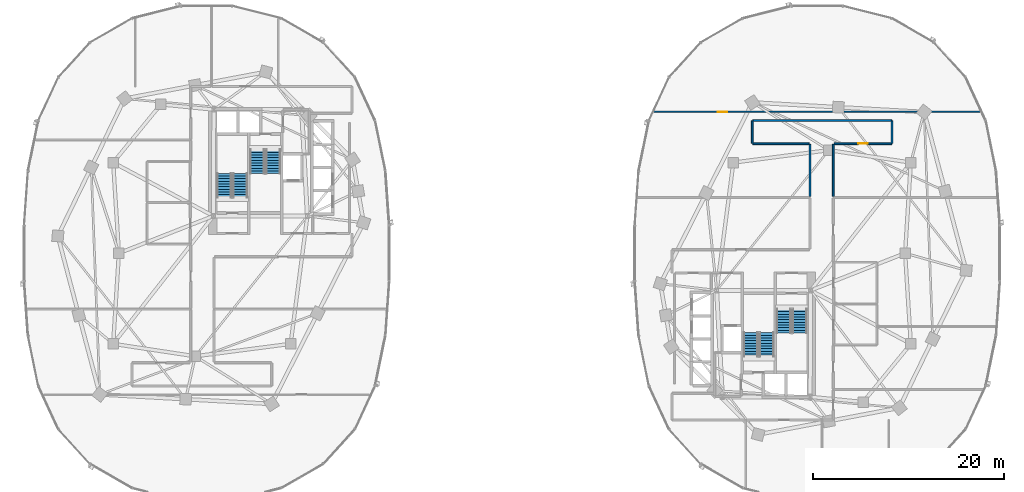
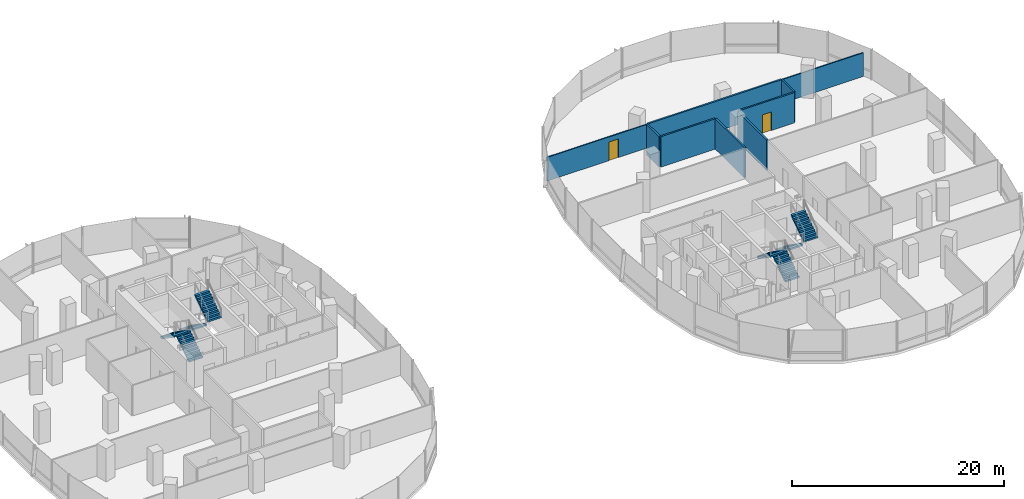
# One storey, part 14 of 21: 8 stair flights, 8 walls, 2 doors, 2 openings, 4 elements without a shape of their own.
"""IFC4 building model written with IfcOpenShell, lengths in metres."""

from ifc_helpers import new_model, si_unit, direction, frame, frame_2d, origin, place, context, subcontext, project, spatial, polyline, rectangle, outline, extrude, material, layer, layer_set, type_object, element, fill, aggregate, save


model = new_model("IFC4")

# Units and contexts
model_context = context("Model", 3, precision=1e-05, world=origin(), true_north=direction((0.0, 1.0)))
body_context = subcontext(model_context, "Body", "Model", "MODEL_VIEW")
ifc_project = project(units=[si_unit("LENGTHUNIT", "METRE"), si_unit("AREAUNIT", "SQUARE_METRE"), si_unit("VOLUMEUNIT", "CUBIC_METRE"), si_unit("PLANEANGLEUNIT", "RADIAN"), si_unit("MASSUNIT", "GRAM", prefix="KILO"), si_unit("THERMODYNAMICTEMPERATUREUNIT", "KELVIN"), si_unit("POWERUNIT", "WATT")], contexts=[model_context])

# Site, building, storey
site_placement = place(None, origin())
site = spatial("IfcSite", under=ifc_project, at=site_placement, CompositionType="ELEMENT")
building_placement = place(site_placement, origin())
building = spatial("IfcBuilding", under=site, at=building_placement, Name="Cundina Bronze Exchange", CompositionType="ELEMENT")
storey_placement = place(building_placement, frame((0.0, 0.0, 62.0)))
storey = spatial("IfcBuildingStorey", under=building, at=storey_placement, Name="L15", CompositionType="ELEMENT", Elevation=62.0)

# Wall
ifc_material_1 = material(Name="Gypsum Fireboard Partition EI120")
ifc_layer_1 = layer(ifc_material_1, 0.179931640625, Name="Gypsum Fireboard Partition EI120")
ifc_layer_set_1 = layer_set([ifc_layer_1], Name="Gypsum Fireboard Partition EI120")
wall_type_1 = type_object("IfcWallType", Name="WL-COR-180", PredefinedType="PARTITIONING", material=ifc_layer_set_1)
wall_1_placement = place(storey_placement, frame((39.778564453125, 13.919921875, 0.0), z_axis=(0.0, 0.0, 1.0), x_axis=(-1.0, 0.0, 0.0)))
element("IfcWall", 1, at=wall_1_placement, inside=storey, type_object=wall_type_1, Name="L15 Interior Partition 071", PredefinedType="PARTITIONING", context=body_context, shape_type="SweptSolid", body=[
    extrude(rectangle(XDim=14.55712890625, YDim=0.179931640625, at=frame_2d((7.278564453125, 0.0))), origin(), (0.0, 0.0, 1.0), 3.5),
])

# Wall, opening, door
wall_2_placement = place(storey_placement, frame((33.75, 11.47998046875, 0.0), z_axis=(0.0, 0.0, 1.0), x_axis=(1.0, 0.0, 0.0)))
wall_2 = element("IfcWall", 2, at=wall_2_placement, inside=storey, type_object=wall_type_1, Name="L15 Interior Partition 072", PredefinedType="PARTITIONING", context=body_context, shape_type="SweptSolid", body=[
    extrude(rectangle(XDim=6.028564453125, YDim=0.179931640625, at=frame_2d((3.01416015625, 0.0))), origin(), (0.0, 0.0, 1.0), 3.5),
])
opening_1_placement = place(wall_2_placement, frame((2.514404296875, 0.0, 0.0)))
opening_1 = element("IfcOpeningElement", 3, at=opening_1_placement, cuts=wall_2, Name="Opening DO-01", PredefinedType="OPENING", context=body_context, shape_type="SweptSolid", body=[
    extrude(rectangle(XDim=1.0, YDim=2.14990234375, at=frame_2d((0.5, 1.074951171875))), frame((0.0, 0.099853515625, 0.0), z_axis=(0.0, -1.0, 0.0), x_axis=(1.0, 0.0, 0.0)), (0.0, 0.0, 1.0), 0.199951171875),
])
ifc_material_2 = material(Name="Solid Andean Oak Timber Grade A", Category="wood")
door_type = type_object("IfcDoorType", Name="DR-OFF-1000", OperationType="NOTDEFINED", PredefinedType="DOOR", material=ifc_material_2)
door_1_placement = place(opening_1_placement, origin())
door_1 = element("IfcDoor", 4, at=door_1_placement, inside=storey, type_object=door_type, Name="L15 Interior Door 072", OperationType="SINGLE_SWING_LEFT", OverallHeight=2.14990234375, OverallWidth=1.0, PredefinedType="DOOR", context=body_context, shape_type="SweptSolid", body=[
    extrude(rectangle(XDim=1.0, YDim=2.14990234375, at=frame_2d((0.5, 1.074951171875))), frame((0.0, 0.02490234375, 0.0), z_axis=(0.0, -1.0, 0.0), x_axis=(1.0, 0.0, 0.0)), (0.0, 0.0, 1.0), 0.050048828125),
])
fill(opening_1, door_1)

# Walls
wall_3_placement = place(storey_placement, frame((25.221435546875, 11.47998046875, 0.0), z_axis=(0.0, 0.0, 1.0), x_axis=(1.0, 0.0, 0.0)))
element("IfcWall", 5, at=wall_3_placement, inside=storey, type_object=wall_type_1, Name="L15 Interior Partition 073", PredefinedType="PARTITIONING", context=body_context, shape_type="SweptSolid", body=[
    extrude(rectangle(XDim=5.928466796875, YDim=0.179931640625, at=frame_2d((2.96435546875, 0.0))), origin(), (0.0, 0.0, 1.0), 3.5),
])
for number, where, z_axis, x_axis, name in (
    (6, (33.669921875, 5.949951171875, 0.0), (0.0, 0.0, 1.0), (0.0, 1.0, 0.0), "L15 Interior Partition 074"),
    (7, (31.22998046875, 11.39990234375, 0.0), (0.0, 0.0, 1.0), (0.0, -1.0, 0.0), "L15 Interior Partition 075"),
):
    element("IfcWall", number, at=place(storey_placement, frame(where, z_axis=z_axis, x_axis=x_axis)), inside=storey, type_object=wall_type_1, Name=name, PredefinedType="PARTITIONING", context=body_context, shape_type="SweptSolid", body=[
        extrude(rectangle(XDim=5.449951171875, YDim=0.179931640625, at=frame_2d((2.72509765625, 0.0))), origin(), (0.0, 0.0, 1.0), 3.5),
    ])
for number, where, z_axis, x_axis, name in (
    (8, (39.820068359375, 11.521484375, 0.0), (0.0, 0.0, 1.0), (0.0, 1.0, 0.0), "L15 Interior Partition 076"),
    (9, (25.179931640625, 13.87841796875, 0.0), (0.0, 0.0, 1.0), (0.0, -1.0, 0.0), "L15 Interior Partition 077"),
):
    element("IfcWall", number, at=place(storey_placement, frame(where, z_axis=z_axis, x_axis=x_axis)), inside=storey, type_object=wall_type_1, Name=name, PredefinedType="PARTITIONING", context=body_context, shape_type="SweptSolid", body=[
        extrude(rectangle(XDim=2.35693359375, YDim=0.179931640625, at=frame_2d((1.178466796875, 0.0))), origin(), (0.0, 0.0, 1.0), 3.5),
    ])

# Wall, opening, door
ifc_material_3 = material(Name="Gypsum Acoustic Partition EI60")
ifc_layer_2 = layer(ifc_material_3, 0.125, Name="Gypsum Acoustic Partition EI60")
ifc_layer_set_2 = layer_set([ifc_layer_2], Name="Gypsum Acoustic Partition EI60")
wall_type_2 = type_object("IfcWallType", Name="WL-OFF-125", PredefinedType="PARTITIONING", material=ifc_layer_set_2)
wall_4_placement = place(storey_placement, frame((49.1953125, 14.820068359375, 0.0), z_axis=(0.0, 0.0, 1.0), x_axis=(-1.0, 0.0, 0.0)))
wall_4 = element("IfcWall", 10, at=wall_4_placement, inside=storey, type_object=wall_type_2, Name="L15 Interior Partition 078", PredefinedType="PARTITIONING", context=body_context, shape_type="SweptSolid", body=[
    extrude(rectangle(XDim=34.390625, YDim=0.125, at=frame_2d((17.1953125, 0.0))), origin(), (0.0, 0.0, 1.0), 2.72705078125),
])
opening_2_placement = place(wall_4_placement, frame((26.640625, 0.0, 0.0)))
opening_2 = element("IfcOpeningElement", 11, at=opening_2_placement, cuts=wall_4, Name="Opening DO-01", PredefinedType="OPENING", context=body_context, shape_type="SweptSolid", body=[
    extrude(rectangle(XDim=1.0, YDim=2.14990234375, at=frame_2d((0.5, 1.074951171875))), frame((0.0, 0.072509765625, 0.0), z_axis=(0.0, -1.0, 0.0), x_axis=(1.0, 0.0, 0.0)), (0.0, 0.0, 1.0), 0.14501953125),
])
door_2_placement = place(opening_2_placement, origin())
door_2 = element("IfcDoor", 12, at=door_2_placement, inside=storey, type_object=door_type, Name="L15 Interior Door 078", OperationType="SINGLE_SWING_RIGHT", OverallHeight=2.14990234375, OverallWidth=1.0, PredefinedType="DOOR", context=body_context, shape_type="SweptSolid", body=[
    extrude(rectangle(XDim=1.0, YDim=2.14990234375, at=frame_2d((0.5, 1.074951171875))), frame((0.0, 0.02490234375, 0.0), z_axis=(0.0, -1.0, 0.0), x_axis=(1.0, 0.0, 0.0)), (0.0, 0.0, 1.0), 0.050048828125),
])
fill(opening_2, door_2)

# Stair, stair flights
ifc_material_4 = material(Name="Concrete C40/50", Category="concrete")
stair_type = type_object("IfcStairType", Name="STR-TRD-380", PredefinedType="HALF_TURN_STAIR", material=ifc_material_4)
stair_1_placement = place(storey_placement, origin())
stair_1 = element("IfcStair", 13, at=stair_1_placement, inside=storey, type_object=stair_type, Name="L15 Smokeproof Exit Stair W1", PredefinedType="HALF_TURN_STAIR")
stair_flight_type = type_object("IfcStairFlightType", Name="FLG-TRD-190", PredefinedType="STRAIGHT", material=ifc_material_4)
stair_flight_1_placement = place(storey_placement, frame((-28.489990234375, 5.85009765625, 0.0), z_axis=(0.0, 0.0, 1.0), x_axis=(0.0, 1.0, 0.0)))
stair_flight_1 = element("IfcStairFlight", 14, at=stair_flight_1_placement, type_object=stair_flight_type, Name="ST-W1 flight 1", NumberOfRisers=10, NumberOfTreads=9, PredefinedType="STRAIGHT", RiserHeight=0.19, TreadLength=0.28, context=body_context, shape_type="SweptSolid", body=[
    extrude(outline(polyline([(0.0, 0.0), (0.0, 0.18994140625), (0.280029296875, 0.18994140625), (0.280029296875, 0.3798828125), (0.56005859375, 0.3798828125), (0.56005859375, 0.570068359375), (0.840087890625, 0.570068359375), (0.840087890625, 0.760009765625), (1.1201171875, 0.760009765625), (1.1201171875, 0.949951171875), (1.39990234375, 0.949951171875), (1.39990234375, 1.139892578125), (1.679931640625, 1.139892578125), (1.679931640625, 1.330078125), (1.9599609375, 1.330078125), (1.9599609375, 1.52001953125), (2.239990234375, 1.52001953125), (2.239990234375, 1.7099609375), (2.52001953125, 1.7099609375), (2.52001953125, 1.89990234375), (2.52001953125, 1.52880859375), (0.266845703125, 0.0), (0.0, 0.0)])), frame((0.0, 0.75, 0.0), z_axis=(0.0, -1.0, 0.0), x_axis=(1.0, 0.0, 0.0)), (0.0, 0.0, 1.0), 1.5),
])
stair_flight_2_placement = place(storey_placement, frame((-30.14990234375, 8.3701171875, 1.89990234375), z_axis=(0.0, 0.0, 1.0), x_axis=(0.0, -1.0, 0.0)))
stair_flight_2 = element("IfcStairFlight", 15, at=stair_flight_2_placement, type_object=stair_flight_type, Name="ST-W1 flight 2", NumberOfRisers=10, NumberOfTreads=9, PredefinedType="STRAIGHT", RiserHeight=0.19, TreadLength=0.28, context=body_context, shape_type="SweptSolid", body=[
    extrude(outline(polyline([(0.0, 0.0), (0.0, 0.18994140625), (0.280029296875, 0.18994140625), (0.280029296875, 0.3798828125), (0.56005859375, 0.3798828125), (0.56005859375, 0.570068359375), (0.840087890625, 0.570068359375), (0.840087890625, 0.760009765625), (1.1201171875, 0.760009765625), (1.1201171875, 0.949951171875), (1.39990234375, 0.949951171875), (1.39990234375, 1.139892578125), (1.679931640625, 1.139892578125), (1.679931640625, 1.330078125), (1.9599609375, 1.330078125), (1.9599609375, 1.52001953125), (2.239990234375, 1.52001953125), (2.239990234375, 1.7099609375), (2.52001953125, 1.7099609375), (2.52001953125, 1.89990234375), (2.52001953125, 1.52880859375), (0.266845703125, 0.0), (0.0, 0.0)])), frame((0.0, 0.75, 0.0), z_axis=(0.0, -1.0, 0.0), x_axis=(1.0, 0.0, 0.0)), (0.0, 0.0, 1.0), 1.5),
])
aggregate(stair_1, [stair_flight_1, stair_flight_2])

stair_2_placement = place(storey_placement, origin())
stair_2 = element("IfcStair", 16, at=stair_2_placement, inside=storey, type_object=stair_type, Name="L15 Smokeproof Exit Stair W2", PredefinedType="HALF_TURN_STAIR")
stair_flight_3_placement = place(storey_placement, frame((-26.68994140625, 10.85009765625, 0.0), z_axis=(0.0, 0.0, 1.0), x_axis=(0.0, -1.0, 0.0)))
stair_flight_3 = element("IfcStairFlight", 17, at=stair_flight_3_placement, type_object=stair_flight_type, Name="ST-W2 flight 1", NumberOfRisers=10, NumberOfTreads=9, PredefinedType="STRAIGHT", RiserHeight=0.19, TreadLength=0.28, context=body_context, shape_type="SweptSolid", body=[
    extrude(outline(polyline([(0.0, 0.0), (0.0, 0.18994140625), (0.280029296875, 0.18994140625), (0.280029296875, 0.3798828125), (0.56005859375, 0.3798828125), (0.56005859375, 0.570068359375), (0.840087890625, 0.570068359375), (0.840087890625, 0.760009765625), (1.1201171875, 0.760009765625), (1.1201171875, 0.949951171875), (1.39990234375, 0.949951171875), (1.39990234375, 1.139892578125), (1.679931640625, 1.139892578125), (1.679931640625, 1.330078125), (1.9599609375, 1.330078125), (1.9599609375, 1.52001953125), (2.239990234375, 1.52001953125), (2.239990234375, 1.7099609375), (2.52001953125, 1.7099609375), (2.52001953125, 1.89990234375), (2.52001953125, 1.52880859375), (0.266845703125, 0.0), (0.0, 0.0)])), frame((0.0, 0.75, 0.0), z_axis=(0.0, -1.0, 0.0), x_axis=(1.0, 0.0, 0.0)), (0.0, 0.0, 1.0), 1.5),
])
stair_flight_4_placement = place(storey_placement, frame((-25.030029296875, 8.330078125, 1.89990234375), z_axis=(0.0, 0.0, 1.0), x_axis=(0.0, 1.0, 0.0)))
stair_flight_4 = element("IfcStairFlight", 18, at=stair_flight_4_placement, type_object=stair_flight_type, Name="ST-W2 flight 2", NumberOfRisers=10, NumberOfTreads=9, PredefinedType="STRAIGHT", RiserHeight=0.19, TreadLength=0.28, context=body_context, shape_type="SweptSolid", body=[
    extrude(outline(polyline([(0.0, 0.0), (0.0, 0.18994140625), (0.280029296875, 0.18994140625), (0.280029296875, 0.3798828125), (0.56005859375, 0.3798828125), (0.56005859375, 0.570068359375), (0.840087890625, 0.570068359375), (0.840087890625, 0.760009765625), (1.1201171875, 0.760009765625), (1.1201171875, 0.949951171875), (1.39990234375, 0.949951171875), (1.39990234375, 1.139892578125), (1.679931640625, 1.139892578125), (1.679931640625, 1.330078125), (1.9599609375, 1.330078125), (1.9599609375, 1.52001953125), (2.239990234375, 1.52001953125), (2.239990234375, 1.7099609375), (2.52001953125, 1.7099609375), (2.52001953125, 1.89990234375), (2.52001953125, 1.52880859375), (0.266845703125, 0.0), (0.0, 0.0)])), frame((0.0, 0.75, 0.0), z_axis=(0.0, -1.0, 0.0), x_axis=(1.0, 0.0, 0.0)), (0.0, 0.0, 1.0), 1.5),
])
aggregate(stair_2, [stair_flight_3, stair_flight_4])

stair_3_placement = place(storey_placement, origin())
stair_3 = element("IfcStair", 19, at=stair_3_placement, inside=storey, type_object=stair_type, Name="L15 Smokeproof Exit Stair E1", PredefinedType="HALF_TURN_STAIR")
stair_flight_5_placement = place(storey_placement, frame((28.489990234375, -5.85009765625, 0.0), z_axis=(0.0, 0.0, 1.0), x_axis=(0.0, -1.0, 0.0)))
stair_flight_5 = element("IfcStairFlight", 20, at=stair_flight_5_placement, type_object=stair_flight_type, Name="ST-E1 flight 1", NumberOfRisers=10, NumberOfTreads=9, PredefinedType="STRAIGHT", RiserHeight=0.19, TreadLength=0.28, context=body_context, shape_type="SweptSolid", body=[
    extrude(outline(polyline([(0.0, 0.0), (0.0, 0.18994140625), (0.280029296875, 0.18994140625), (0.280029296875, 0.3798828125), (0.56005859375, 0.3798828125), (0.56005859375, 0.570068359375), (0.840087890625, 0.570068359375), (0.840087890625, 0.760009765625), (1.1201171875, 0.760009765625), (1.1201171875, 0.949951171875), (1.39990234375, 0.949951171875), (1.39990234375, 1.139892578125), (1.679931640625, 1.139892578125), (1.679931640625, 1.330078125), (1.9599609375, 1.330078125), (1.9599609375, 1.52001953125), (2.239990234375, 1.52001953125), (2.239990234375, 1.7099609375), (2.52001953125, 1.7099609375), (2.52001953125, 1.89990234375), (2.52001953125, 1.52880859375), (0.266845703125, 0.0), (0.0, 0.0)])), frame((0.0, 0.75, 0.0), z_axis=(0.0, -1.0, 0.0), x_axis=(1.0, 0.0, 0.0)), (0.0, 0.0, 1.0), 1.5),
])
stair_flight_6_placement = place(storey_placement, frame((30.14990234375, -8.3701171875, 1.89990234375), z_axis=(0.0, 0.0, 1.0), x_axis=(0.0, 1.0, 0.0)))
stair_flight_6 = element("IfcStairFlight", 21, at=stair_flight_6_placement, type_object=stair_flight_type, Name="ST-E1 flight 2", NumberOfRisers=10, NumberOfTreads=9, PredefinedType="STRAIGHT", RiserHeight=0.19, TreadLength=0.28, context=body_context, shape_type="SweptSolid", body=[
    extrude(outline(polyline([(0.0, 0.0), (0.0, 0.18994140625), (0.280029296875, 0.18994140625), (0.280029296875, 0.3798828125), (0.56005859375, 0.3798828125), (0.56005859375, 0.570068359375), (0.840087890625, 0.570068359375), (0.840087890625, 0.760009765625), (1.1201171875, 0.760009765625), (1.1201171875, 0.949951171875), (1.39990234375, 0.949951171875), (1.39990234375, 1.139892578125), (1.679931640625, 1.139892578125), (1.679931640625, 1.330078125), (1.9599609375, 1.330078125), (1.9599609375, 1.52001953125), (2.239990234375, 1.52001953125), (2.239990234375, 1.7099609375), (2.52001953125, 1.7099609375), (2.52001953125, 1.89990234375), (2.52001953125, 1.52880859375), (0.266845703125, 0.0), (0.0, 0.0)])), frame((0.0, 0.75, 0.0), z_axis=(0.0, -1.0, 0.0), x_axis=(1.0, 0.0, 0.0)), (0.0, 0.0, 1.0), 1.5),
])
aggregate(stair_3, [stair_flight_5, stair_flight_6])

stair_4_placement = place(storey_placement, origin())
stair_4 = element("IfcStair", 22, at=stair_4_placement, inside=storey, type_object=stair_type, Name="L15 Smokeproof Exit Stair E2", PredefinedType="HALF_TURN_STAIR")
stair_flight_7_placement = place(storey_placement, frame((26.68994140625, -10.85009765625, 0.0), z_axis=(0.0, 0.0, 1.0), x_axis=(0.0, 1.0, 0.0)))
stair_flight_7 = element("IfcStairFlight", 23, at=stair_flight_7_placement, type_object=stair_flight_type, Name="ST-E2 flight 1", NumberOfRisers=10, NumberOfTreads=9, PredefinedType="STRAIGHT", RiserHeight=0.19, TreadLength=0.28, context=body_context, shape_type="SweptSolid", body=[
    extrude(outline(polyline([(0.0, 0.0), (0.0, 0.18994140625), (0.280029296875, 0.18994140625), (0.280029296875, 0.3798828125), (0.56005859375, 0.3798828125), (0.56005859375, 0.570068359375), (0.840087890625, 0.570068359375), (0.840087890625, 0.760009765625), (1.1201171875, 0.760009765625), (1.1201171875, 0.949951171875), (1.39990234375, 0.949951171875), (1.39990234375, 1.139892578125), (1.679931640625, 1.139892578125), (1.679931640625, 1.330078125), (1.9599609375, 1.330078125), (1.9599609375, 1.52001953125), (2.239990234375, 1.52001953125), (2.239990234375, 1.7099609375), (2.52001953125, 1.7099609375), (2.52001953125, 1.89990234375), (2.52001953125, 1.52880859375), (0.266845703125, 0.0), (0.0, 0.0)])), frame((0.0, 0.75, 0.0), z_axis=(0.0, -1.0, 0.0), x_axis=(1.0, 0.0, 0.0)), (0.0, 0.0, 1.0), 1.5),
])
stair_flight_8_placement = place(storey_placement, frame((25.030029296875, -8.330078125, 1.89990234375), z_axis=(0.0, 0.0, 1.0), x_axis=(0.0, -1.0, 0.0)))
stair_flight_8 = element("IfcStairFlight", 24, at=stair_flight_8_placement, type_object=stair_flight_type, Name="ST-E2 flight 2", NumberOfRisers=10, NumberOfTreads=9, PredefinedType="STRAIGHT", RiserHeight=0.19, TreadLength=0.28, context=body_context, shape_type="SweptSolid", body=[
    extrude(outline(polyline([(0.0, 0.0), (0.0, 0.18994140625), (0.280029296875, 0.18994140625), (0.280029296875, 0.3798828125), (0.56005859375, 0.3798828125), (0.56005859375, 0.570068359375), (0.840087890625, 0.570068359375), (0.840087890625, 0.760009765625), (1.1201171875, 0.760009765625), (1.1201171875, 0.949951171875), (1.39990234375, 0.949951171875), (1.39990234375, 1.139892578125), (1.679931640625, 1.139892578125), (1.679931640625, 1.330078125), (1.9599609375, 1.330078125), (1.9599609375, 1.52001953125), (2.239990234375, 1.52001953125), (2.239990234375, 1.7099609375), (2.52001953125, 1.7099609375), (2.52001953125, 1.89990234375), (2.52001953125, 1.52880859375), (0.266845703125, 0.0), (0.0, 0.0)])), frame((0.0, 0.75, 0.0), z_axis=(0.0, -1.0, 0.0), x_axis=(1.0, 0.0, 0.0)), (0.0, 0.0, 1.0), 1.5),
])
aggregate(stair_4, [stair_flight_7, stair_flight_8])

save(model, "model.ifc")
